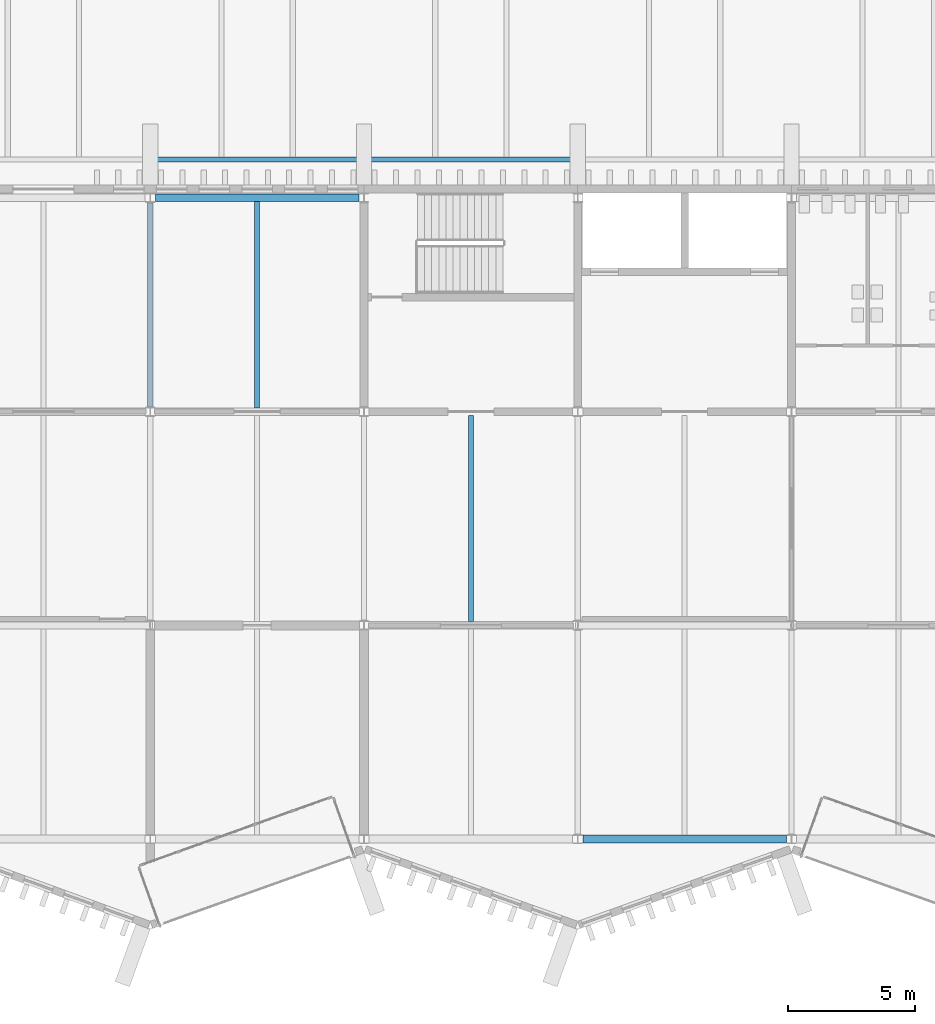
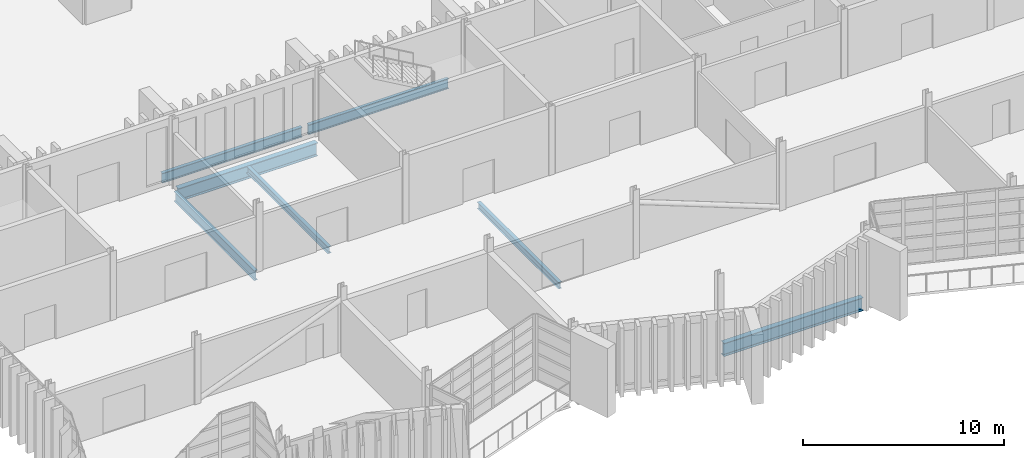
# One storey, part 17 of 96: 7 beams.
"""IFC4 building model written with IfcOpenShell, lengths in metres."""

from ifc_helpers import new_model, si_unit, direction, frame, origin, origin_2d, place, context, subcontext, project, spatial, i_section, extrude, material, material_profile, profile_set, type_object, element, save


model = new_model("IFC4")

# Units and contexts
model_context = context("Model", 3, precision=1e-05, world=origin(), true_north=direction((0.0, 1.0)))
body_context = subcontext(model_context, "Body", "Model", "MODEL_VIEW")
ifc_project = project(units=[si_unit("LENGTHUNIT", "METRE"), si_unit("AREAUNIT", "SQUARE_METRE"), si_unit("VOLUMEUNIT", "CUBIC_METRE"), si_unit("PLANEANGLEUNIT", "RADIAN"), si_unit("MASSUNIT", "GRAM", prefix="KILO")], contexts=[model_context])

# Site, building, storey
site_placement = place(None, origin())
site = spatial("IfcSite", under=ifc_project, at=site_placement, CompositionType="ELEMENT")
building_placement = place(site_placement, origin())
building = spatial("IfcBuilding", under=site, at=building_placement, Name="Cresset Court Congress Hotel", CompositionType="ELEMENT")
storey_placement = place(building_placement, frame((0.0, 0.0, 6.0)))
storey = spatial("IfcBuildingStorey", under=building, at=storey_placement, Name="L01", CompositionType="ELEMENT", Elevation=6.0)

# Beams
ifc_material_1 = material(Name="Structural steel Q355B", Category="steel")
ifc_material_profile_1 = material_profile(ifc_material_1, i_section(OverallWidth=0.199951171875, OverallDepth=0.60009765625, WebThickness=0.010986328125, FlangeThickness=0.01708984375, FilletRadius=0.012939453125, at=origin_2d()), Name="HN600x200x11x17")
ifc_profile_set_1 = profile_set([ifc_material_profile_1], Name="Structural steel Q355B")
beam_type_1 = type_object("IfcBeamType", Name="Steel beam HN600x200x11x17", PredefinedType="BEAM", material=ifc_profile_set_1)
for number, where, z_axis, x_axis, name in (
    (1, (25.375, 26.699951171875, -0.449951171875), (1.0, 0.0, 0.0), (0.0, 1.0, 0.0), "S.dbm.L01.P003"),
    (2, (33.77490234375, 26.699951171875, -0.449951171875), (1.0, 0.0, 0.0), (0.0, 1.0, 0.0), "S.dbm.L01.P004"),
):
    element("IfcBeam", number, at=place(storey_placement, frame(where, z_axis=z_axis, x_axis=x_axis)), inside=storey, type_object=beam_type_1, Name=name, PredefinedType="BEAM", context=body_context, shape_type="SweptSolid", body=[
        extrude(i_section(OverallWidth=0.199951171875, OverallDepth=0.60009765625, WebThickness=0.010986328125, FlangeThickness=0.01708984375, FilletRadius=0.012939453125, at=origin_2d()), origin(), (0.0, 0.0, 1.0), 8.050048828125),
    ])
beam_1_placement = place(storey_placement, frame((25.199951171875, 17.0, -0.449951171875), z_axis=(0.0, 1.0, 0.0), x_axis=(-1.0, 0.0, 0.0)))
element("IfcBeam", 3, at=beam_1_placement, inside=storey, type_object=beam_type_1, Name="B.by.L01.04C", PredefinedType="BEAM", context=body_context, shape_type="SweptSolid", body=[
    extrude(i_section(OverallWidth=0.199951171875, OverallDepth=0.60009765625, WebThickness=0.010986328125, FlangeThickness=0.01708984375, FilletRadius=0.012939453125, at=origin_2d()), origin(), (0.0, 0.0, 1.0), 8.0),
])
ifc_material_2 = material(Name="Structural steel Q355B", Category="steel")
ifc_material_profile_2 = material_profile(ifc_material_2, i_section(OverallWidth=0.300048828125, OverallDepth=0.800048828125, WebThickness=0.013916015625, FlangeThickness=0.02587890625, FilletRadius=0.01806640625, at=origin_2d()), Name="HN800x300x14x26")
ifc_profile_set_2 = profile_set([ifc_material_profile_2], Name="Structural steel Q355B")
beam_type_2 = type_object("IfcBeamType", Name="Steel beam HN800x300x14x26", PredefinedType="BEAM", material=ifc_profile_set_2)
for number, where, z_axis, x_axis, name in (
    (4, (42.199951171875, 0.0, -0.550048828125), (1.0, 0.0, 0.0), (0.0, 1.0, 0.0), "B.bx.L01.A06"),
    (5, (25.39990234375, 25.199951171875, -0.550048828125), (1.0, 0.0, 0.0), (0.0, 1.0, 0.0), "B.bx.L01.D04"),
):
    element("IfcBeam", number, at=place(storey_placement, frame(where, z_axis=z_axis, x_axis=x_axis)), inside=storey, type_object=beam_type_2, Name=name, PredefinedType="BEAM", context=body_context, shape_type="SweptSolid", body=[
        extrude(i_section(OverallWidth=0.300048828125, OverallDepth=0.800048828125, WebThickness=0.013916015625, FlangeThickness=0.02587890625, FilletRadius=0.01806640625, at=origin_2d()), origin(), (0.0, 0.0, 1.0), 8.0),
    ])
ifc_material_3 = material(Name="Structural steel Q355B", Category="steel")
ifc_material_profile_3 = material_profile(ifc_material_3, i_section(OverallWidth=0.199951171875, OverallDepth=0.39990234375, WebThickness=0.008056640625, FlangeThickness=0.012939453125, FilletRadius=0.01611328125, at=origin_2d()), Name="HN400x200x8x13")
ifc_profile_set_3 = profile_set([ifc_material_profile_3], Name="Structural steel Q355B")
beam_type_3 = type_object("IfcBeamType", Name="Steel joist HN400x200x8x13", PredefinedType="JOIST", material=ifc_profile_set_3)
beam_2_placement = place(storey_placement, frame((29.39990234375, 16.949951171875, -0.35009765625), z_axis=(0.0, 1.0, 0.0), x_axis=(-1.0, 0.0, 0.0)))
element("IfcBeam", 6, at=beam_2_placement, inside=storey, type_object=beam_type_3, Name="B.bj.L01.04C", PredefinedType="JOIST", context=body_context, shape_type="SweptSolid", body=[
    extrude(i_section(OverallWidth=0.199951171875, OverallDepth=0.39990234375, WebThickness=0.008056640625, FlangeThickness=0.012939453125, FilletRadius=0.01611328125, at=origin_2d()), origin(), (0.0, 0.0, 1.0), 8.10009765625),
])
beam_3_placement = place(storey_placement, frame((37.800048828125, 8.550048828125, -0.35009765625), z_axis=(0.0, 1.0, 0.0), x_axis=(-1.0, 0.0, 0.0)))
element("IfcBeam", 7, at=beam_3_placement, inside=storey, type_object=beam_type_3, Name="B.bj.L01.05B", PredefinedType="JOIST", context=body_context, shape_type="SweptSolid", body=[
    extrude(i_section(OverallWidth=0.199951171875, OverallDepth=0.39990234375, WebThickness=0.008056640625, FlangeThickness=0.012939453125, FilletRadius=0.01611328125, at=origin_2d()), origin(), (0.0, 0.0, 1.0), 8.099853515625),
])

save(model, "model.ifc")
